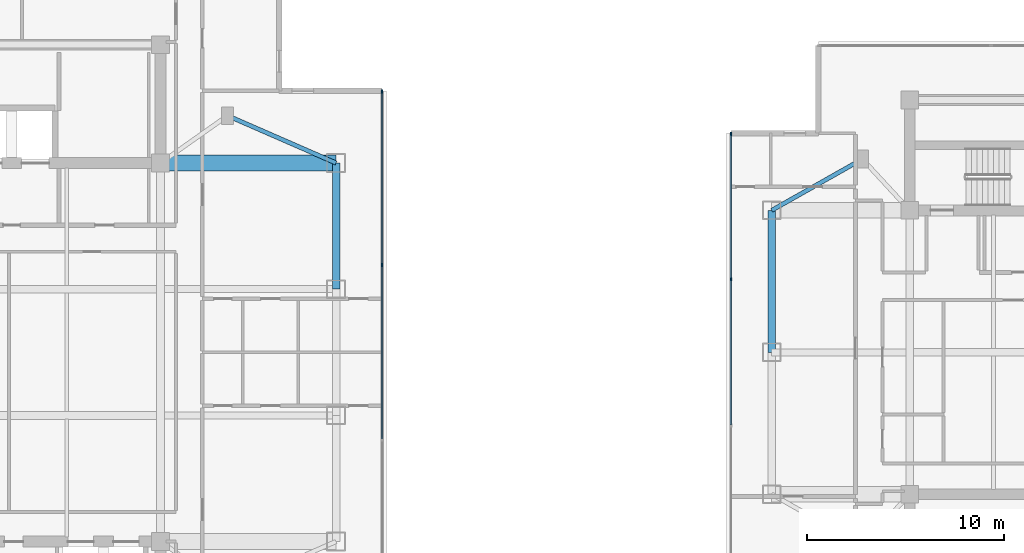
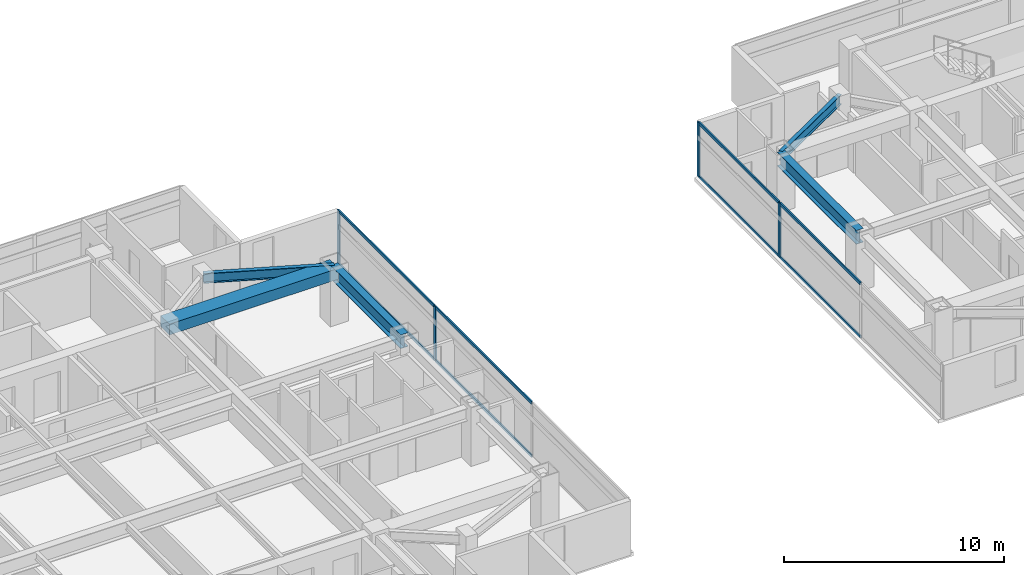
# One storey, part 6 of 24: 12 members, 5 beams, 2 elements without a shape of their own.
"""IFC4 building model written with IfcOpenShell, lengths in metres."""

from ifc_helpers import new_model, si_unit, direction, frame, origin, origin_2d, place, context, subcontext, project, spatial, rectangle, i_section, extrude, material, material_profile, profile_set, type_object, element, aggregate, save


model = new_model("IFC4")

# Units and contexts
model_context = context("Model", 3, precision=1e-05, world=origin(), true_north=direction((0.0, 1.0)))
body_context = subcontext(model_context, "Body", "Model", "MODEL_VIEW")
ifc_project = project(units=[si_unit("LENGTHUNIT", "METRE"), si_unit("AREAUNIT", "SQUARE_METRE"), si_unit("VOLUMEUNIT", "CUBIC_METRE"), si_unit("PLANEANGLEUNIT", "RADIAN"), si_unit("MASSUNIT", "GRAM", prefix="KILO")], contexts=[model_context])

# Site, building, storey
site_placement = place(None, origin())
site = spatial("IfcSite", under=ifc_project, at=site_placement, CompositionType="ELEMENT")
building_placement = place(site_placement, origin())
building = spatial("IfcBuilding", under=site, at=building_placement, Name="Mirazonda Arch Towers", CompositionType="ELEMENT")
storey_placement = place(building_placement, frame((0.0, 0.0, 199.89990234375)))
storey = spatial("IfcBuildingStorey", under=building, at=storey_placement, Name="L57", CompositionType="ELEMENT", Elevation=199.89990234375)

# Beams
ifc_material_1 = material(Name="Steel ASTM A992 Grade 50", Category="steel")
ifc_material_profile_1 = material_profile(ifc_material_1, i_section(OverallWidth=0.381103515625, OverallDepth=0.77294921875, WebThickness=0.0166015625, FlangeThickness=0.027099609375, at=origin_2d()), Name="W30X173")
ifc_profile_set_1 = profile_set([ifc_material_profile_1], Name="Steel ASTM A992 Grade 50")
beam_type_1 = type_object("IfcBeamType", Name="BM-EXT-W30X173", PredefinedType="USERDEFINED", material=ifc_profile_set_1)
beam_1_placement = place(storey_placement, frame((38.89990234375, 31.199951171875, 2.66357421875), z_axis=(0.0, 1.0, 0.0), x_axis=(-1.0, 0.0, 0.0)))
element("IfcBeam", 1, at=beam_1_placement, inside=storey, type_object=beam_type_1, Name="L57 Floor Beam BM-T1-L57-NS-E-31", ObjectType="GIRDER", PredefinedType="USERDEFINED", context=body_context, shape_type="SweptSolid", body=[
    extrude(i_section(OverallWidth=0.381103515625, OverallDepth=0.77294921875, WebThickness=0.0166015625, FlangeThickness=0.027099609375, at=origin_2d()), origin(), (0.0, 0.0, 1.0), 6.400146484375),
])
beam_2_placement = place(storey_placement, frame((61.0, 28.0, 2.66357421875), z_axis=(0.0, 1.0, 0.0), x_axis=(-1.0, 0.0, 0.0)))
element("IfcBeam", 2, at=beam_2_placement, inside=storey, type_object=beam_type_1, Name="L57 Floor Beam BM-T2-L57-NS-W-28", ObjectType="GIRDER", PredefinedType="USERDEFINED", context=body_context, shape_type="SweptSolid", body=[
    extrude(i_section(OverallWidth=0.381103515625, OverallDepth=0.77294921875, WebThickness=0.0166015625, FlangeThickness=0.027099609375, at=origin_2d()), origin(), (0.0, 0.0, 1.0), 7.199951171875),
])
ifc_material_profile_2 = material_profile(ifc_material_1, i_section(OverallWidth=0.214111328125, OverallDepth=0.549072265625, WebThickness=0.0146484375, FlangeThickness=0.023681640625, at=origin_2d()), Name="W21X93")
ifc_profile_set_2 = profile_set([ifc_material_profile_2], Name="Steel ASTM A992 Grade 50")
beam_type_2 = type_object("IfcBeamType", Name="BM-INT-W21X93", PredefinedType="BEAM", material=ifc_profile_set_2)
beam_3_placement = place(storey_placement, frame((33.39990234375, 40.0, 2.775634765625), z_axis=(0.916545343703, -0.399930785183, 0.0), x_axis=(0.399930785183, 0.916545343703, 0.0)))
element("IfcBeam", 3, at=beam_3_placement, inside=storey, type_object=beam_type_2, Name="L57 Floor Beam BM-T1-L57-PL-NE2", PredefinedType="BEAM", context=body_context, shape_type="SweptSolid", body=[
    extrude(i_section(OverallWidth=0.214111328125, OverallDepth=0.549072265625, WebThickness=0.0146484375, FlangeThickness=0.023681640625, at=origin_2d()), origin(), (0.0, 0.0, 1.0), 6.000732421875),
])
beam_4_placement = place(storey_placement, frame((65.60009765625, 37.800048828125, 2.775634765625), z_axis=(-0.870559396632, -0.492063346467, 0.0), x_axis=(0.492063346467, -0.870559396632, 0.0)))
element("IfcBeam", 4, at=beam_4_placement, inside=storey, type_object=beam_type_2, Name="L57 Floor Beam BM-T2-L57-PL-NW2", PredefinedType="BEAM", context=body_context, shape_type="SweptSolid", body=[
    extrude(i_section(OverallWidth=0.214111328125, OverallDepth=0.549072265625, WebThickness=0.0146484375, FlangeThickness=0.023681640625, at=origin_2d()), origin(), (0.0, 0.0, 1.0), 5.2841796875),
])
ifc_material_2 = material(Name="Concrete C60/75", Category="concrete")
ifc_material_profile_3 = material_profile(ifc_material_2, rectangle(XDim=0.800048828125, YDim=0.60009765625, at=origin_2d()), Name="RCCB800x600")
ifc_profile_set_3 = profile_set([ifc_material_profile_3], Name="Concrete C60/75")
beam_type_3 = type_object("IfcBeamType", Name="CB-INT-RCCB800x600", PredefinedType="SPANDREL", material=ifc_profile_set_3)
beam_5_placement = place(storey_placement, frame((30.0, 37.60009765625, 2.75), z_axis=(1.0, 0.0, 0.0), x_axis=(0.0, 1.0, 0.0)))
element("IfcBeam", 5, at=beam_5_placement, inside=storey, type_object=beam_type_3, Name="L57 Floor Beam CBC-T1-L57-NE", PredefinedType="SPANDREL", context=body_context, shape_type="SweptSolid", body=[
    extrude(rectangle(XDim=0.800048828125, YDim=0.60009765625, at=origin_2d()), origin(), (0.0, 0.0, 1.0), 8.89990234375),
])

# Curtain wall, members
ifc_material_3 = material(Name="Anodised Aluminium and Low-E Glass", Category="aluminium")
curtain_wall_type = type_object("IfcCurtainWallType", Name="CW-RES-UNIT", PredefinedType="NOTDEFINED", material=ifc_material_3)
curtain_wall_1_placement = place(storey_placement, origin())
curtain_wall_1 = element("IfcCurtainWall", 6, at=curtain_wall_1_placement, inside=storey, type_object=curtain_wall_type, Name="L57 T1 E Facade CW-L57-T1-E", PredefinedType="NOTDEFINED")
ifc_material_4 = material(Name="Anodised Aluminium Alloy", Category="aluminium")
ifc_material_profile_4 = material_profile(ifc_material_4, rectangle(XDim=0.074951171875, YDim=0.175048828125, at=origin_2d()), Name="ALU-MULL-75x175")
ifc_profile_set_4 = profile_set([ifc_material_profile_4], Name="Anodised Aluminium Alloy")
member_type_1 = type_object("IfcMemberType", Name="MULL-CW-RES-UNIT", PredefinedType="MULLION", material=ifc_profile_set_4)
member_1_placement = place(storey_placement, frame((41.22998046875, 32.421630859375, 0.0), z_axis=(0.0, 0.0, 1.0), x_axis=(-1.0, 0.0, 0.0)))
member_1 = element("IfcMember", 7, at=member_1_placement, type_object=member_type_1, Name="CW-104 mullion 3", PredefinedType="MULLION", context=body_context, shape_type="SweptSolid", body=[
    extrude(rectangle(XDim=0.074951171875, YDim=0.175048828125, at=origin_2d()), origin(), (0.0, 0.0, 1.0), 3.030029296875),
])
member_2_placement = place(storey_placement, frame((41.22998046875, 41.2275390625, 0.0), z_axis=(0.0, 0.0, 1.0), x_axis=(-1.0, 0.0, 0.0)))
member_2 = element("IfcMember", 8, at=member_2_placement, type_object=member_type_1, Name="CW-104 mullion 4", PredefinedType="MULLION", context=body_context, shape_type="SweptSolid", body=[
    extrude(rectangle(XDim=0.074951171875, YDim=0.175048828125, at=origin_2d()), origin(), (0.0, 0.0, 1.0), 3.030029296875),
])

curtain_wall_2_placement = place(storey_placement, origin())
curtain_wall_2 = element("IfcCurtainWall", 9, at=curtain_wall_2_placement, inside=storey, type_object=curtain_wall_type, Name="L57 T2 W Facade CW-L57-T2-W", PredefinedType="NOTDEFINED")
member_3_placement = place(storey_placement, frame((58.9326171875, 39.077880859375, 0.0), z_axis=(0.0, 0.0, 1.0), x_axis=(1.0, 0.0, 0.0)))
member_3 = element("IfcMember", 10, at=member_3_placement, type_object=member_type_1, Name="CW-104 mullion 1", PredefinedType="MULLION", context=body_context, shape_type="SweptSolid", body=[
    extrude(rectangle(XDim=0.074951171875, YDim=0.175048828125, at=origin_2d()), origin(), (0.0, 0.0, 1.0), 3.030029296875),
])
member_4_placement = place(storey_placement, frame((58.9326171875, 31.705078125, 0.0), z_axis=(0.0, 0.0, 1.0), x_axis=(1.0, 0.0, 0.0)))
member_4 = element("IfcMember", 11, at=member_4_placement, type_object=member_type_1, Name="CW-104 mullion 2", PredefinedType="MULLION", context=body_context, shape_type="SweptSolid", body=[
    extrude(rectangle(XDim=0.074951171875, YDim=0.175048828125, at=origin_2d()), origin(), (0.0, 0.0, 1.0), 3.030029296875),
])

# Member
ifc_material_profile_5 = material_profile(ifc_material_4, rectangle(XDim=0.074951171875, YDim=0.155029296875, at=origin_2d()), Name="ALU-TRAN-75x155")
ifc_profile_set_5 = profile_set([ifc_material_profile_5], Name="Anodised Aluminium Alloy")
member_type_2 = type_object("IfcMemberType", Name="TRAN-CW-RES-UNIT", PredefinedType="USERDEFINED", material=ifc_profile_set_5)
member_5_placement = place(storey_placement, frame((41.22998046875, 23.61572265625, 0.03759765625), z_axis=(0.0, 1.0, 0.0), x_axis=(-1.0, 0.0, 0.0)))
member_5 = element("IfcMember", 12, at=member_5_placement, type_object=member_type_2, Name="CW-104 transom 2.1", ObjectType="TRANSOM", PredefinedType="USERDEFINED", context=body_context, shape_type="SweptSolid", body=[
    extrude(rectangle(XDim=0.074951171875, YDim=0.155029296875, at=origin_2d()), origin(), (0.0, 0.0, 1.0), 8.7685546875),
])

member_6_placement = place(storey_placement, frame((41.22998046875, 23.61572265625, 2.99267578125), z_axis=(0.0, 1.0, 0.0), x_axis=(-1.0, 0.0, 0.0)))
member_6 = element("IfcMember", 13, at=member_6_placement, type_object=member_type_2, Name="CW-104 transom 2.2", ObjectType="TRANSOM", PredefinedType="USERDEFINED", context=body_context, shape_type="SweptSolid", body=[
    extrude(rectangle(XDim=0.074951171875, YDim=0.155029296875, at=origin_2d()), origin(), (0.0, 0.0, 1.0), 8.7685546875),
])

member_7_placement = place(storey_placement, frame((41.22998046875, 32.459228515625, 0.03759765625), z_axis=(0.0, 1.0, 0.0), x_axis=(-1.0, 0.0, 0.0)))
member_7 = element("IfcMember", 14, at=member_7_placement, type_object=member_type_2, Name="CW-104 transom 3.1", ObjectType="TRANSOM", PredefinedType="USERDEFINED", context=body_context, shape_type="SweptSolid", body=[
    extrude(rectangle(XDim=0.074951171875, YDim=0.155029296875, at=origin_2d()), origin(), (0.0, 0.0, 1.0), 8.730712890625),
])

member_8_placement = place(storey_placement, frame((41.22998046875, 32.459228515625, 2.99267578125), z_axis=(0.0, 1.0, 0.0), x_axis=(-1.0, 0.0, 0.0)))
member_8 = element("IfcMember", 15, at=member_8_placement, type_object=member_type_2, Name="CW-104 transom 3.2", ObjectType="TRANSOM", PredefinedType="USERDEFINED", context=body_context, shape_type="SweptSolid", body=[
    extrude(rectangle(XDim=0.074951171875, YDim=0.155029296875, at=origin_2d()), origin(), (0.0, 0.0, 1.0), 8.730712890625),
])

aggregate(curtain_wall_1, [member_1, member_2, member_5, member_6, member_7, member_8])

member_9_placement = place(storey_placement, frame((58.9326171875, 39.040283203125, 0.03759765625), z_axis=(0.0, -1.0, 0.0), x_axis=(1.0, 0.0, 0.0)))
member_9 = element("IfcMember", 16, at=member_9_placement, type_object=member_type_2, Name="CW-104 transom 1.1", ObjectType="TRANSOM", PredefinedType="USERDEFINED", context=body_context, shape_type="SweptSolid", body=[
    extrude(rectangle(XDim=0.074951171875, YDim=0.155029296875, at=origin_2d()), origin(), (0.0, 0.0, 1.0), 7.297607421875),
])

member_10_placement = place(storey_placement, frame((58.9326171875, 39.040283203125, 2.99267578125), z_axis=(0.0, -1.0, 0.0), x_axis=(1.0, 0.0, 0.0)))
member_10 = element("IfcMember", 17, at=member_10_placement, type_object=member_type_2, Name="CW-104 transom 1.2", ObjectType="TRANSOM", PredefinedType="USERDEFINED", context=body_context, shape_type="SweptSolid", body=[
    extrude(rectangle(XDim=0.074951171875, YDim=0.155029296875, at=origin_2d()), origin(), (0.0, 0.0, 1.0), 7.297607421875),
])

member_11_placement = place(storey_placement, frame((58.9326171875, 31.66748046875, 0.03759765625), z_axis=(0.0, -1.0, 0.0), x_axis=(1.0, 0.0, 0.0)))
member_11 = element("IfcMember", 18, at=member_11_placement, type_object=member_type_2, Name="CW-104 transom 2.1", ObjectType="TRANSOM", PredefinedType="USERDEFINED", context=body_context, shape_type="SweptSolid", body=[
    extrude(rectangle(XDim=0.074951171875, YDim=0.155029296875, at=origin_2d()), origin(), (0.0, 0.0, 1.0), 7.3349609375),
])

member_12_placement = place(storey_placement, frame((58.9326171875, 31.66748046875, 2.99267578125), z_axis=(0.0, -1.0, 0.0), x_axis=(1.0, 0.0, 0.0)))
member_12 = element("IfcMember", 19, at=member_12_placement, type_object=member_type_2, Name="CW-104 transom 2.2", ObjectType="TRANSOM", PredefinedType="USERDEFINED", context=body_context, shape_type="SweptSolid", body=[
    extrude(rectangle(XDim=0.074951171875, YDim=0.155029296875, at=origin_2d()), origin(), (0.0, 0.0, 1.0), 7.3349609375),
])

aggregate(curtain_wall_2, [member_3, member_4, member_9, member_10, member_11, member_12])

save(model, "model.ifc")
